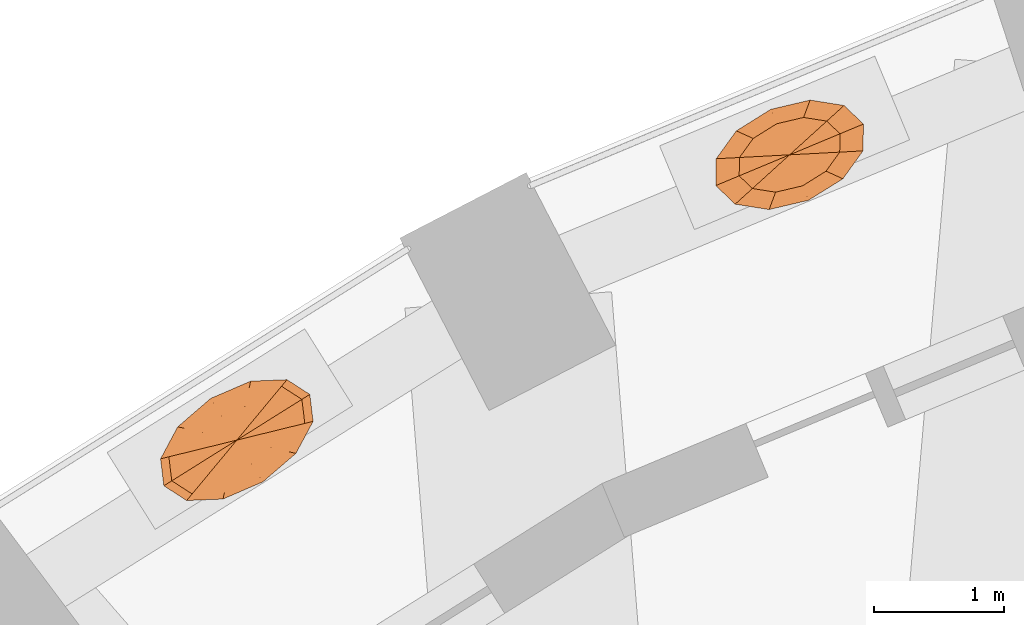
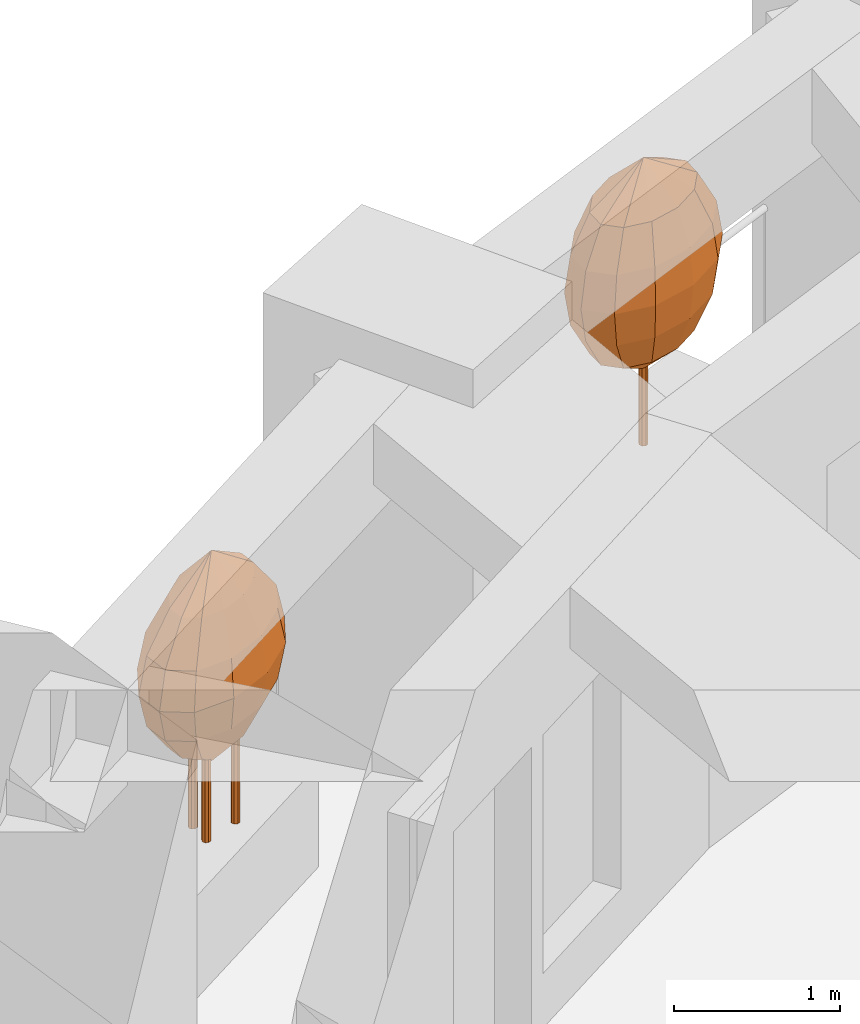
# One storey, part 13 of 13: 2 geographic elements.
"""IFC4 building model written with IfcOpenShell, lengths in metres."""

from ifc_helpers import new_model, si_unit, direction, frame, origin, place, context, subcontext, project, spatial, faceted_brep, material, constituent, constituent_set, type_object, element, save


model = new_model("IFC4")

# Units and contexts
model_context = context("Model", 3, precision=1e-05, world=origin(), true_north=direction((0.0, 1.0)))
body_context = subcontext(model_context, "Body", "Model", "MODEL_VIEW")
ifc_project = project(units=[si_unit("LENGTHUNIT", "METRE"), si_unit("AREAUNIT", "SQUARE_METRE"), si_unit("VOLUMEUNIT", "CUBIC_METRE"), si_unit("PLANEANGLEUNIT", "RADIAN"), si_unit("MASSUNIT", "GRAM", prefix="KILO")], contexts=[model_context])

# Site, building, storey
site_placement = place(None, origin())
site = spatial("IfcSite", under=ifc_project, at=site_placement, CompositionType="ELEMENT")
building_placement = place(site_placement, origin())
building = spatial("IfcBuilding", under=site, at=building_placement, Name="Taillehof Tower", CompositionType="ELEMENT")
storey_placement = place(building_placement, frame((0.0, 0.0, 44.800048828125)))
storey = spatial("IfcBuildingStorey", under=building, at=storey_placement, Name="L11", CompositionType="ELEMENT", Elevation=44.800048828125)

# Geographic elements
ifc_material_1 = material(Name="Tree bark", Category="timber")
ifc_constituent_1 = constituent(ifc_material_1, Name="Trunk", Category="timber")
ifc_material_2 = material(Name="Tree foliage")
ifc_constituent_2 = constituent(ifc_material_2, Name="Crown")
ifc_constituent_set_1 = constituent_set(constituents=[ifc_constituent_1, ifc_constituent_2], Name="Tree TR1 Columnar hornbeam")
geographic_element_type_1 = type_object("IfcGeographicElementType", Name="Tree TR1 Columnar hornbeam", PredefinedType="USERDEFINED", material=ifc_constituent_set_1)
geographic_element_1_placement = place(storey_placement, frame((-11.947509765625, 22.923583984375, 0.75)))
element("IfcGeographicElement", 1, at=geographic_element_1_placement, inside=storey, type_object=geographic_element_type_1, Name="Tree TR1 Columnar hornbeam", ObjectType="TREE", PredefinedType="USERDEFINED", context=body_context, shape_type="Brep", body=[
    faceted_brep([(0.030029296875, 0.0, 0.0), (0.021240234375, 0.021240234375, 0.0), (0.021240234375, 0.021240234375, 1.092529296875), (0.030029296875, 0.0, 1.092529296875), (0.0, 0.030029296875, 0.0), (0.0, 0.030029296875, 1.092529296875), (-0.021240234375, 0.021240234375, 0.0), (-0.021240234375, 0.021240234375, 1.092529296875), (-0.030029296875, 0.0, 0.0), (-0.030029296875, 0.0, 1.092529296875), (-0.021240234375, -0.021240234375, 0.0), (-0.021240234375, -0.021240234375, 1.092529296875), (0.0, -0.030029296875, 0.0), (0.0, -0.030029296875, 1.092529296875), (0.021240234375, -0.021240234375, 0.0), (0.021240234375, -0.021240234375, 1.092529296875)], [[[0, 1, 2, 3]], [[1, 4, 5, 2]], [[4, 6, 7, 5]], [[6, 8, 9, 7]], [[8, 10, 11, 9]], [[10, 12, 13, 11]], [[12, 14, 15, 13]], [[14, 0, 3, 15]], [[14, 12, 10, 8, 6, 4, 1, 0]], [[3, 2, 5, 7, 9, 11, 13, 15]]]),
    faceted_brep([(0.0, 0.0, 0.550048828125), (-0.287109375, -0.26025390625, 0.808349609375), (-0.389404296875, -0.162353515625, 0.808349609375), (-0.108154296875, -0.28857421875, 0.808349609375), (0.099853515625, -0.239501953125, 0.808349609375), (0.28125, -0.126220703125, 0.808349609375), (0.386962890625, 0.020751953125, 0.808349609375), (0.389404296875, 0.162353515625, 0.808349609375), (0.287109375, 0.26025390625, 0.808349609375), (0.108154296875, 0.28857421875, 0.808349609375), (-0.099853515625, 0.239501953125, 0.808349609375), (-0.28125, 0.126220703125, 0.808349609375), (-0.386962890625, -0.020751953125, 0.808349609375), (-0.388427734375, -0.35205078125, 1.066650390625), (-0.526611328125, -0.219482421875, 1.066650390625), (-0.146240234375, -0.390380859375, 1.066650390625), (0.135009765625, -0.323974609375, 1.066650390625), (0.38037109375, -0.1708984375, 1.066650390625), (0.523681640625, 0.028076171875, 1.066650390625), (0.526611328125, 0.219482421875, 1.066650390625), (0.388427734375, 0.35205078125, 1.066650390625), (0.146240234375, 0.390380859375, 1.066650390625), (-0.135009765625, 0.323974609375, 1.066650390625), (-0.38037109375, 0.1708984375, 1.066650390625), (-0.523681640625, -0.028076171875, 1.066650390625), (-0.42041015625, -0.381103515625, 1.324951171875), (-0.570068359375, -0.237548828125, 1.324951171875), (-0.158447265625, -0.422607421875, 1.324951171875), (0.146240234375, -0.350830078125, 1.324951171875), (0.41162109375, -0.18505859375, 1.324951171875), (0.566650390625, 0.0302734375, 1.324951171875), (0.570068359375, 0.237548828125, 1.324951171875), (0.42041015625, 0.381103515625, 1.324951171875), (0.158447265625, 0.422607421875, 1.324951171875), (-0.146240234375, 0.350830078125, 1.324951171875), (-0.41162109375, 0.18505859375, 1.324951171875), (-0.566650390625, -0.0302734375, 1.324951171875), (-0.388427734375, -0.35205078125, 1.583251953125), (-0.526611328125, -0.219482421875, 1.583251953125), (-0.146240234375, -0.390380859375, 1.583251953125), (0.135009765625, -0.323974609375, 1.583251953125), (0.38037109375, -0.1708984375, 1.583251953125), (0.523681640625, 0.028076171875, 1.583251953125), (0.526611328125, 0.219482421875, 1.583251953125), (0.388427734375, 0.35205078125, 1.583251953125), (0.146240234375, 0.390380859375, 1.583251953125), (-0.135009765625, 0.323974609375, 1.583251953125), (-0.38037109375, 0.1708984375, 1.583251953125), (-0.523681640625, -0.028076171875, 1.583251953125), (-0.287109375, -0.26025390625, 1.841552734375), (-0.389404296875, -0.162353515625, 1.841552734375), (-0.108154296875, -0.28857421875, 1.841552734375), (0.099853515625, -0.239501953125, 1.841552734375), (0.28125, -0.126220703125, 1.841552734375), (0.386962890625, 0.020751953125, 1.841552734375), (0.389404296875, 0.162353515625, 1.841552734375), (0.287109375, 0.26025390625, 1.841552734375), (0.108154296875, 0.28857421875, 1.841552734375), (-0.099853515625, 0.239501953125, 1.841552734375), (-0.28125, 0.126220703125, 1.841552734375), (-0.386962890625, -0.020751953125, 1.841552734375), (0.0, 0.0, 2.10009765625)], [[[0, 1, 2]], [[0, 3, 1]], [[0, 4, 3]], [[0, 5, 4]], [[0, 6, 5]], [[0, 7, 6]], [[0, 8, 7]], [[0, 9, 8]], [[0, 10, 9]], [[0, 11, 10]], [[0, 12, 11]], [[0, 2, 12]], [[2, 1, 13, 14]], [[1, 3, 15, 13]], [[3, 4, 16, 15]], [[4, 5, 17, 16]], [[5, 6, 18, 17]], [[6, 7, 19, 18]], [[7, 8, 20, 19]], [[8, 9, 21, 20]], [[9, 10, 22, 21]], [[10, 11, 23, 22]], [[11, 12, 24, 23]], [[12, 2, 14, 24]], [[14, 13, 25, 26]], [[13, 15, 27, 25]], [[15, 16, 28, 27]], [[16, 17, 29, 28]], [[17, 18, 30, 29]], [[18, 19, 31, 30]], [[19, 20, 32, 31]], [[20, 21, 33, 32]], [[21, 22, 34, 33]], [[22, 23, 35, 34]], [[23, 24, 36, 35]], [[24, 14, 26, 36]], [[26, 25, 37, 38]], [[25, 27, 39, 37]], [[27, 28, 40, 39]], [[28, 29, 41, 40]], [[29, 30, 42, 41]], [[30, 31, 43, 42]], [[31, 32, 44, 43]], [[32, 33, 45, 44]], [[33, 34, 46, 45]], [[34, 35, 47, 46]], [[35, 36, 48, 47]], [[36, 26, 38, 48]], [[38, 37, 49, 50]], [[37, 39, 51, 49]], [[39, 40, 52, 51]], [[40, 41, 53, 52]], [[41, 42, 54, 53]], [[42, 43, 55, 54]], [[43, 44, 56, 55]], [[44, 45, 57, 56]], [[45, 46, 58, 57]], [[46, 47, 59, 58]], [[47, 48, 60, 59]], [[48, 38, 50, 60]], [[50, 49, 61]], [[49, 51, 61]], [[51, 52, 61]], [[52, 53, 61]], [[53, 54, 61]], [[54, 55, 61]], [[55, 56, 61]], [[56, 57, 61]], [[57, 58, 61]], [[58, 59, 61]], [[59, 60, 61]], [[60, 50, 61]]]),
])
ifc_material_3 = material(Name="Tree bark", Category="timber")
ifc_constituent_3 = constituent(ifc_material_3, Name="Trunk", Category="timber")
ifc_material_4 = material(Name="Tree foliage")
ifc_constituent_4 = constituent(ifc_material_4, Name="Crown")
ifc_constituent_set_2 = constituent_set(constituents=[ifc_constituent_3, ifc_constituent_4], Name="Tree TR3 Multi-stem serviceberry")
geographic_element_type_2 = type_object("IfcGeographicElementType", Name="Tree TR3 Multi-stem serviceberry", PredefinedType="USERDEFINED", material=ifc_constituent_set_2)
geographic_element_2_placement = place(storey_placement, frame((-16.2158203125, 20.720703125, 0.75)))
element("IfcGeographicElement", 2, at=geographic_element_2_placement, inside=storey, type_object=geographic_element_type_2, Name="Tree TR3 Multi-stem serviceberry", ObjectType="TREE", PredefinedType="USERDEFINED", context=body_context, shape_type="Brep", body=[
    faceted_brep([(0.195068359375, 0.0, 0.0), (0.186767578125, 0.0205078125, 0.0), (0.186767578125, 0.0205078125, 1.04248046875), (0.195068359375, 0.0, 1.04248046875), (0.166259765625, 0.02880859375, 0.0), (0.166259765625, 0.02880859375, 1.04248046875), (0.145751953125, 0.0205078125, 0.0), (0.145751953125, 0.0205078125, 1.04248046875), (0.137451171875, 0.0, 0.0), (0.137451171875, 0.0, 1.04248046875), (0.145751953125, -0.0205078125, 0.0), (0.145751953125, -0.0205078125, 1.04248046875), (0.166259765625, -0.02880859375, 0.0), (0.166259765625, -0.02880859375, 1.04248046875), (0.186767578125, -0.0205078125, 0.0), (0.186767578125, -0.0205078125, 1.04248046875)], [[[0, 1, 2, 3]], [[1, 4, 5, 2]], [[4, 6, 7, 5]], [[6, 8, 9, 7]], [[8, 10, 11, 9]], [[10, 12, 13, 11]], [[12, 14, 15, 13]], [[14, 0, 3, 15]], [[14, 12, 10, 8, 6, 4, 1, 0]], [[3, 2, 5, 7, 9, 11, 13, 15]]]),
    faceted_brep([(-0.05419921875, 0.082275390625, 0.0), (-0.062744140625, 0.102783203125, 0.0), (-0.062744140625, 0.102783203125, 1.04248046875), (-0.05419921875, 0.082275390625, 1.04248046875), (-0.0830078125, 0.111083984375, 0.0), (-0.0830078125, 0.111083984375, 1.04248046875), (-0.103515625, 0.102783203125, 0.0), (-0.103515625, 0.102783203125, 1.04248046875), (-0.112060546875, 0.082275390625, 0.0), (-0.112060546875, 0.082275390625, 1.04248046875), (-0.103515625, 0.061767578125, 0.0), (-0.103515625, 0.061767578125, 1.04248046875), (-0.0830078125, 0.053466796875, 0.0), (-0.0830078125, 0.053466796875, 1.04248046875), (-0.062744140625, 0.061767578125, 0.0), (-0.062744140625, 0.061767578125, 1.04248046875)], [[[0, 1, 2, 3]], [[1, 4, 5, 2]], [[4, 6, 7, 5]], [[6, 8, 9, 7]], [[8, 10, 11, 9]], [[10, 12, 13, 11]], [[12, 14, 15, 13]], [[14, 0, 3, 15]], [[14, 12, 10, 8, 6, 4, 1, 0]], [[3, 2, 5, 7, 9, 11, 13, 15]]]),
    faceted_brep([(-0.05419921875, -0.082275390625, 0.0), (-0.062744140625, -0.061767578125, 0.0), (-0.062744140625, -0.061767578125, 1.04248046875), (-0.05419921875, -0.082275390625, 1.04248046875), (-0.0830078125, -0.053466796875, 0.0), (-0.0830078125, -0.053466796875, 1.04248046875), (-0.103515625, -0.061767578125, 0.0), (-0.103515625, -0.061767578125, 1.04248046875), (-0.112060546875, -0.082275390625, 0.0), (-0.112060546875, -0.082275390625, 1.04248046875), (-0.103515625, -0.102783203125, 0.0), (-0.103515625, -0.102783203125, 1.04248046875), (-0.0830078125, -0.111083984375, 0.0), (-0.0830078125, -0.111083984375, 1.04248046875), (-0.062744140625, -0.102783203125, 0.0), (-0.062744140625, -0.102783203125, 1.04248046875)], [[[0, 1, 2, 3]], [[1, 4, 5, 2]], [[4, 6, 7, 5]], [[6, 8, 9, 7]], [[8, 10, 11, 9]], [[10, 12, 13, 11]], [[12, 14, 15, 13]], [[14, 0, 3, 15]], [[14, 12, 10, 8, 6, 4, 1, 0]], [[3, 2, 5, 7, 9, 11, 13, 15]]]),
    faceted_brep([(0.0, 0.0, 0.5), (-0.222412109375, -0.26806640625, 0.75830078125), (-0.32373046875, -0.20263671875, 0.75830078125), (-0.0615234375, -0.261474609375, 0.75830078125), (0.11572265625, -0.18505859375, 0.75830078125), (0.26220703125, -0.058837890625, 0.75830078125), (0.33837890625, 0.0830078125, 0.75830078125), (0.32373046875, 0.20263671875, 0.75830078125), (0.222412109375, 0.26806640625, 0.75830078125), (0.0615234375, 0.261474609375, 0.75830078125), (-0.11572265625, 0.18505859375, 0.75830078125), (-0.26220703125, 0.058837890625, 0.75830078125), (-0.33837890625, -0.0830078125, 0.75830078125), (-0.34521484375, -0.415771484375, 1.0166015625), (-0.50244140625, -0.314453125, 1.0166015625), (-0.095703125, -0.40576171875, 1.0166015625), (0.1796875, -0.287109375, 1.0166015625), (0.40673828125, -0.09130859375, 1.0166015625), (0.52490234375, 0.12890625, 1.0166015625), (0.50244140625, 0.314453125, 1.0166015625), (0.34521484375, 0.415771484375, 1.0166015625), (0.095703125, 0.40576171875, 1.0166015625), (-0.1796875, 0.287109375, 1.0166015625), (-0.40673828125, 0.09130859375, 1.0166015625), (-0.52490234375, -0.12890625, 1.0166015625), (-0.387451171875, -0.466552734375, 1.27490234375), (-0.563720703125, -0.352783203125, 1.27490234375), (-0.107177734375, -0.455322265625, 1.27490234375), (0.20166015625, -0.322021484375, 1.27490234375), (0.45654296875, -0.1025390625, 1.27490234375), (0.5888671875, 0.14453125, 1.27490234375), (0.563720703125, 0.352783203125, 1.27490234375), (0.387451171875, 0.466552734375, 1.27490234375), (0.107177734375, 0.455322265625, 1.27490234375), (-0.20166015625, 0.322021484375, 1.27490234375), (-0.45654296875, 0.1025390625, 1.27490234375), (-0.5888671875, -0.14453125, 1.27490234375), (-0.34521484375, -0.415771484375, 1.533447265625), (-0.50244140625, -0.314453125, 1.533447265625), (-0.095703125, -0.40576171875, 1.533447265625), (0.1796875, -0.287109375, 1.533447265625), (0.40673828125, -0.09130859375, 1.533447265625), (0.52490234375, 0.12890625, 1.533447265625), (0.50244140625, 0.314453125, 1.533447265625), (0.34521484375, 0.415771484375, 1.533447265625), (0.095703125, 0.40576171875, 1.533447265625), (-0.1796875, 0.287109375, 1.533447265625), (-0.40673828125, 0.09130859375, 1.533447265625), (-0.52490234375, -0.12890625, 1.533447265625), (-0.222412109375, -0.26806640625, 1.791748046875), (-0.32373046875, -0.20263671875, 1.791748046875), (-0.0615234375, -0.261474609375, 1.791748046875), (0.11572265625, -0.18505859375, 1.791748046875), (0.26220703125, -0.058837890625, 1.791748046875), (0.33837890625, 0.0830078125, 1.791748046875), (0.32373046875, 0.20263671875, 1.791748046875), (0.222412109375, 0.26806640625, 1.791748046875), (0.0615234375, 0.261474609375, 1.791748046875), (-0.11572265625, 0.18505859375, 1.791748046875), (-0.26220703125, 0.058837890625, 1.791748046875), (-0.33837890625, -0.0830078125, 1.791748046875), (0.0, 0.0, 2.050048828125)], [[[0, 1, 2]], [[0, 3, 1]], [[0, 4, 3]], [[0, 5, 4]], [[0, 6, 5]], [[0, 7, 6]], [[0, 8, 7]], [[0, 9, 8]], [[0, 10, 9]], [[0, 11, 10]], [[0, 12, 11]], [[0, 2, 12]], [[2, 1, 13, 14]], [[1, 3, 15, 13]], [[3, 4, 16, 15]], [[4, 5, 17, 16]], [[5, 6, 18, 17]], [[6, 7, 19, 18]], [[7, 8, 20, 19]], [[8, 9, 21, 20]], [[9, 10, 22, 21]], [[10, 11, 23, 22]], [[11, 12, 24, 23]], [[12, 2, 14, 24]], [[14, 13, 25, 26]], [[13, 15, 27, 25]], [[15, 16, 28, 27]], [[16, 17, 29, 28]], [[17, 18, 30, 29]], [[18, 19, 31, 30]], [[19, 20, 32, 31]], [[20, 21, 33, 32]], [[21, 22, 34, 33]], [[22, 23, 35, 34]], [[23, 24, 36, 35]], [[24, 14, 26, 36]], [[26, 25, 37, 38]], [[25, 27, 39, 37]], [[27, 28, 40, 39]], [[28, 29, 41, 40]], [[29, 30, 42, 41]], [[30, 31, 43, 42]], [[31, 32, 44, 43]], [[32, 33, 45, 44]], [[33, 34, 46, 45]], [[34, 35, 47, 46]], [[35, 36, 48, 47]], [[36, 26, 38, 48]], [[38, 37, 49, 50]], [[37, 39, 51, 49]], [[39, 40, 52, 51]], [[40, 41, 53, 52]], [[41, 42, 54, 53]], [[42, 43, 55, 54]], [[43, 44, 56, 55]], [[44, 45, 57, 56]], [[45, 46, 58, 57]], [[46, 47, 59, 58]], [[47, 48, 60, 59]], [[48, 38, 50, 60]], [[50, 49, 61]], [[49, 51, 61]], [[51, 52, 61]], [[52, 53, 61]], [[53, 54, 61]], [[54, 55, 61]], [[55, 56, 61]], [[56, 57, 61]], [[57, 58, 61]], [[58, 59, 61]], [[59, 60, 61]], [[60, 50, 61]]]),
])

save(model, "model.ifc")
